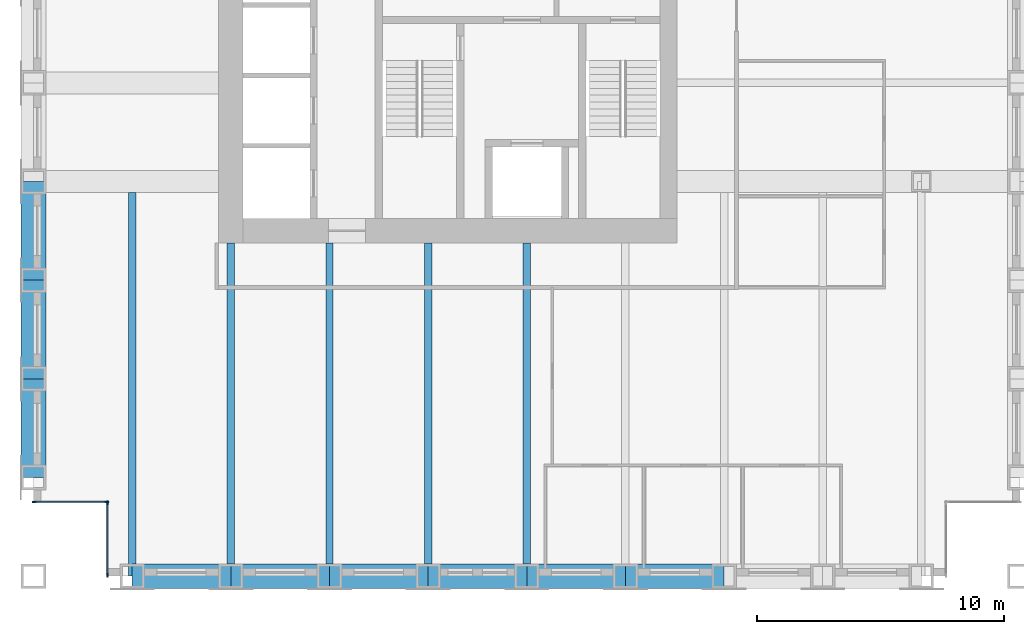
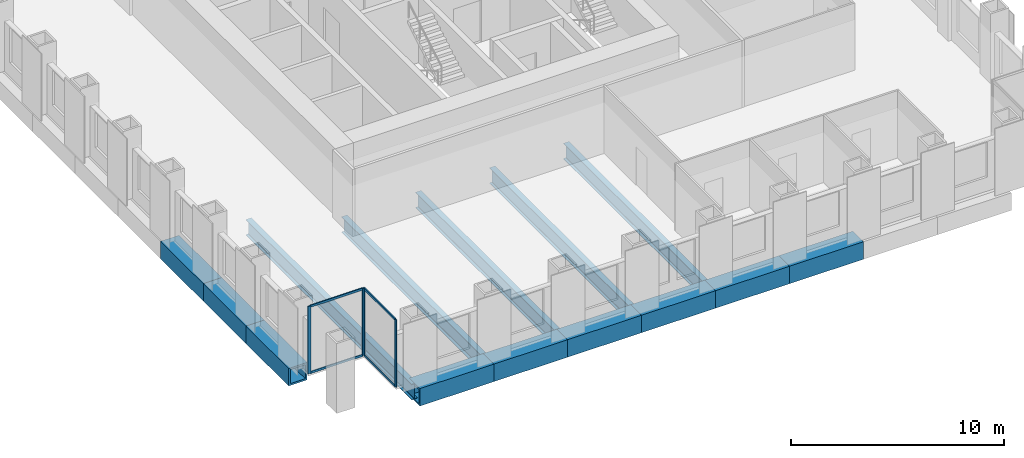
# One storey, part 2 of 11: 14 beams, 8 members, 2 elements without a shape of their own.
"""IFC4 building model written with IfcOpenShell, lengths in metres."""

from ifc_helpers import new_model, si_unit, direction, frame, origin, origin_2d, place, context, subcontext, project, spatial, rectangle, hollow_rectangle, i_section, extrude, material, material_profile, profile_set, type_object, element, aggregate, save


model = new_model("IFC4")

# Units and contexts
model_context = context("Model", 3, precision=1e-05, world=origin(), true_north=direction((0.0, 1.0)))
body_context = subcontext(model_context, "Body", "Model", "MODEL_VIEW")
ifc_project = project(units=[si_unit("LENGTHUNIT", "METRE"), si_unit("AREAUNIT", "SQUARE_METRE"), si_unit("VOLUMEUNIT", "CUBIC_METRE"), si_unit("PLANEANGLEUNIT", "RADIAN"), si_unit("MASSUNIT", "GRAM", prefix="KILO")], contexts=[model_context])

# Site, building, storey
site_placement = place(None, origin())
site = spatial("IfcSite", under=ifc_project, at=site_placement, CompositionType="ELEMENT")
building_placement = place(site_placement, origin())
building = spatial("IfcBuilding", under=site, at=building_placement, Name="Rimbunsela Tower", CompositionType="ELEMENT")
storey_placement = place(building_placement, frame((0.0, 0.0, 250.199951171875)))
storey = spatial("IfcBuildingStorey", under=building, at=storey_placement, Name="L60", CompositionType="ELEMENT", Elevation=250.199951171875)

# Beams
ifc_material_1 = material(Name="Steel BJ 55 (fy 410 MPa)", Category="steel")
ifc_material_profile_1 = material_profile(ifc_material_1, hollow_rectangle(XDim=1.0, YDim=1.0, WallThickness=0.10009765625, at=origin_2d()), Name="BOX 1000x1000x100")
ifc_profile_set_1 = profile_set([ifc_material_profile_1], Name="Steel BJ 55 (fy 410 MPa)")
beam_type_1 = type_object("IfcBeamType", Name="Beam BOX 1000x1000x100", PredefinedType="BEAM", material=ifc_profile_set_1)
for number, where, z_axis, x_axis, name in (
    (1, (10.0, 8.0, -0.64990234375), (0.0, 1.0, 0.0), (-1.0, 0.0, 0.0), "Beam B3 L60"),
    (2, (10.0, 12.0, -0.64990234375), (0.0, 1.0, 0.0), (-1.0, 0.0, 0.0), "Beam B3 L60"),
    (3, (10.0, 16.0, -0.64990234375), (0.0, 1.0, 0.0), (-1.0, 0.0, 0.0), "Beam B3 L60"),
    (4, (14.0, 4.0, -0.64990234375), (1.0, 0.0, 0.0), (0.0, 1.0, 0.0), "Beam B3 L60"),
    (5, (18.0, 4.0, -0.64990234375), (1.0, 0.0, 0.0), (0.0, 1.0, 0.0), "Beam B3 L60"),
    (6, (22.0, 4.0, -0.64990234375), (1.0, 0.0, 0.0), (0.0, 1.0, 0.0), "Beam B3 L60"),
    (7, (26.0, 4.0, -0.64990234375), (1.0, 0.0, 0.0), (0.0, 1.0, 0.0), "Beam B3 L60"),
    (8, (30.0, 4.0, -0.64990234375), (1.0, 0.0, 0.0), (0.0, 1.0, 0.0), "Beam B3 L60"),
    (9, (34.0, 4.0, -0.64990234375), (1.0, 0.0, 0.0), (0.0, 1.0, 0.0), "Beam B3 L60"),
):
    element("IfcBeam", number, at=place(storey_placement, frame(where, z_axis=z_axis, x_axis=x_axis)), inside=storey, type_object=beam_type_1, Name=name, PredefinedType="BEAM", context=body_context, shape_type="SweptSolid", body=[
        extrude(hollow_rectangle(XDim=1.0, YDim=1.0, WallThickness=0.10009765625, at=origin_2d()), origin(), (0.0, 0.0, 1.0), 4.0),
    ])
ifc_material_2 = material(Name="Steel BJ 55 (fy 410 MPa)", Category="steel")
ifc_material_profile_2 = material_profile(ifc_material_2, i_section(OverallWidth=0.300048828125, OverallDepth=0.89990234375, WebThickness=0.01611328125, FlangeThickness=0.028076171875, FilletRadius=0.028076171875, at=origin_2d()), Name="H 900x300x16x28")
ifc_profile_set_2 = profile_set([ifc_material_profile_2], Name="Steel BJ 55 (fy 410 MPa)")
beam_type_2 = type_object("IfcBeamType", Name="Beam H 900x300x16x28", PredefinedType="BEAM", material=ifc_profile_set_2)
beam_placement = place(storey_placement, frame((14.0, 4.0, -0.599853515625), z_axis=(0.0, 1.0, 0.0), x_axis=(-1.0, 0.0, 0.0)))
element("IfcBeam", 10, at=beam_placement, inside=storey, type_object=beam_type_2, Name="Beam B2 L60", PredefinedType="BEAM", context=body_context, shape_type="SweptSolid", body=[
    extrude(i_section(OverallWidth=0.300048828125, OverallDepth=0.89990234375, WebThickness=0.01611328125, FlangeThickness=0.028076171875, FilletRadius=0.028076171875, at=origin_2d()), origin(), (0.0, 0.0, 1.0), 15.550048828125),
])
for number, where, z_axis, x_axis, name in (
    (11, (18.0, 4.0, -0.599853515625), (0.0, 1.0, 0.0), (-1.0, 0.0, 0.0), "Beam B2 L60"),
    (12, (22.0, 4.0, -0.599853515625), (0.0, 1.0, 0.0), (-1.0, 0.0, 0.0), "Beam B2 L60"),
    (13, (26.0, 4.0, -0.599853515625), (0.0, 1.0, 0.0), (-1.0, 0.0, 0.0), "Beam B2 L60"),
    (14, (30.0, 4.0, -0.599853515625), (0.0, 1.0, 0.0), (-1.0, 0.0, 0.0), "Beam B2 L60"),
):
    element("IfcBeam", number, at=place(storey_placement, frame(where, z_axis=z_axis, x_axis=x_axis)), inside=storey, type_object=beam_type_2, Name=name, PredefinedType="BEAM", context=body_context, shape_type="SweptSolid", body=[
        extrude(i_section(OverallWidth=0.300048828125, OverallDepth=0.89990234375, WebThickness=0.01611328125, FlangeThickness=0.028076171875, FilletRadius=0.028076171875, at=origin_2d()), origin(), (0.0, 0.0, 1.0), 13.5),
    ])

# Curtain wall, members
ifc_material_3 = material(Name="Aluminium curtain wall", Category="aluminium")
curtain_wall_type = type_object("IfcCurtainWallType", Name="Corner glazing", PredefinedType="USERDEFINED", material=ifc_material_3)
curtain_wall_1_placement = place(storey_placement, origin())
curtain_wall_1 = element("IfcCurtainWall", 15, at=curtain_wall_1_placement, inside=storey, type_object=curtain_wall_type, Name="Corner glazing L60", ObjectType="CORNER GLAZING", PredefinedType="USERDEFINED")
ifc_material_4 = material(Name="Aluminium mullion", Category="aluminium")
ifc_material_profile_3 = material_profile(ifc_material_4, rectangle(XDim=0.06005859375, YDim=0.159912109375, at=origin_2d()), Name="Mullion 60x160")
ifc_profile_set_3 = profile_set([ifc_material_profile_3], Name="Aluminium mullion")
member_type_1 = type_object("IfcMemberType", Name="Curtain wall mullion 60x160", PredefinedType="MULLION", material=ifc_profile_set_3)
member_1_placement = place(storey_placement, frame((10.030029296875, 7.0, 0.0), z_axis=(0.0, 0.0, 1.0), x_axis=(0.0, 1.0, 0.0)))
member_1 = element("IfcMember", 16, at=member_1_placement, type_object=member_type_1, Name="CW5 mullion 1", PredefinedType="MULLION", context=body_context, shape_type="SweptSolid", body=[
    extrude(rectangle(XDim=0.06005859375, YDim=0.159912109375, at=origin_2d()), origin(), (0.0, 0.0, 1.0), 3.85009765625),
])
member_2_placement = place(storey_placement, frame((12.969970703125, 7.0, 0.0), z_axis=(0.0, 0.0, 1.0), x_axis=(0.0, 1.0, 0.0)))
member_2 = element("IfcMember", 17, at=member_2_placement, type_object=member_type_1, Name="CW5 mullion 2", PredefinedType="MULLION", context=body_context, shape_type="SweptSolid", body=[
    extrude(rectangle(XDim=0.06005859375, YDim=0.159912109375, at=origin_2d()), origin(), (0.0, 0.0, 1.0), 3.85009765625),
])

curtain_wall_2_placement = place(storey_placement, origin())
curtain_wall_2 = element("IfcCurtainWall", 18, at=curtain_wall_2_placement, inside=storey, type_object=curtain_wall_type, Name="Corner glazing L60", ObjectType="CORNER GLAZING", PredefinedType="USERDEFINED")
member_3_placement = place(storey_placement, frame((13.0, 6.969970703125, 0.0), z_axis=(0.0, 0.0, 1.0), x_axis=(1.0, 0.0, 0.0)))
member_3 = element("IfcMember", 19, at=member_3_placement, type_object=member_type_1, Name="CW5 mullion 1", PredefinedType="MULLION", context=body_context, shape_type="SweptSolid", body=[
    extrude(rectangle(XDim=0.06005859375, YDim=0.159912109375, at=origin_2d()), origin(), (0.0, 0.0, 1.0), 3.85009765625),
])
member_4_placement = place(storey_placement, frame((13.0, 4.030029296875, 0.0), z_axis=(0.0, 0.0, 1.0), x_axis=(1.0, 0.0, 0.0)))
member_4 = element("IfcMember", 20, at=member_4_placement, type_object=member_type_1, Name="CW5 mullion 2", PredefinedType="MULLION", context=body_context, shape_type="SweptSolid", body=[
    extrude(rectangle(XDim=0.06005859375, YDim=0.159912109375, at=origin_2d()), origin(), (0.0, 0.0, 1.0), 3.85009765625),
])

# Member
ifc_material_5 = material(Name="Aluminium transom", Category="aluminium")
ifc_material_profile_4 = material_profile(ifc_material_5, rectangle(XDim=0.06005859375, YDim=0.1201171875, at=origin_2d()), Name="Transom 60x120")
ifc_profile_set_4 = profile_set([ifc_material_profile_4], Name="Aluminium transom")
member_type_2 = type_object("IfcMemberType", Name="Curtain wall transom 60x120", PredefinedType="USERDEFINED", material=ifc_profile_set_4)
member_5_placement = place(storey_placement, frame((10.06005859375, 7.0, 0.030029296875), z_axis=(1.0, 0.0, 0.0), x_axis=(0.0, 1.0, 0.0)))
member_5 = element("IfcMember", 21, at=member_5_placement, type_object=member_type_2, Name="CW5 transom 1.1", ObjectType="TRANSOM", PredefinedType="USERDEFINED", context=body_context, shape_type="SweptSolid", body=[
    extrude(rectangle(XDim=0.06005859375, YDim=0.1201171875, at=origin_2d()), origin(), (0.0, 0.0, 1.0), 2.8798828125),
])

member_6_placement = place(storey_placement, frame((10.06005859375, 7.0, 3.820068359375), z_axis=(1.0, 0.0, 0.0), x_axis=(0.0, 1.0, 0.0)))
member_6 = element("IfcMember", 22, at=member_6_placement, type_object=member_type_2, Name="CW5 transom 1.2", ObjectType="TRANSOM", PredefinedType="USERDEFINED", context=body_context, shape_type="SweptSolid", body=[
    extrude(rectangle(XDim=0.06005859375, YDim=0.1201171875, at=origin_2d()), origin(), (0.0, 0.0, 1.0), 2.8798828125),
])

aggregate(curtain_wall_1, [member_1, member_2, member_5, member_6])

member_7_placement = place(storey_placement, frame((13.0, 6.93994140625, 0.030029296875), z_axis=(0.0, -1.0, 0.0), x_axis=(1.0, 0.0, 0.0)))
member_7 = element("IfcMember", 23, at=member_7_placement, type_object=member_type_2, Name="CW5 transom 1.1", ObjectType="TRANSOM", PredefinedType="USERDEFINED", context=body_context, shape_type="SweptSolid", body=[
    extrude(rectangle(XDim=0.06005859375, YDim=0.1201171875, at=origin_2d()), origin(), (0.0, 0.0, 1.0), 2.8798828125),
])

member_8_placement = place(storey_placement, frame((13.0, 6.93994140625, 3.820068359375), z_axis=(0.0, -1.0, 0.0), x_axis=(1.0, 0.0, 0.0)))
member_8 = element("IfcMember", 24, at=member_8_placement, type_object=member_type_2, Name="CW5 transom 1.2", ObjectType="TRANSOM", PredefinedType="USERDEFINED", context=body_context, shape_type="SweptSolid", body=[
    extrude(rectangle(XDim=0.06005859375, YDim=0.1201171875, at=origin_2d()), origin(), (0.0, 0.0, 1.0), 2.8798828125),
])

aggregate(curtain_wall_2, [member_3, member_4, member_7, member_8])

save(model, "model.ifc")
